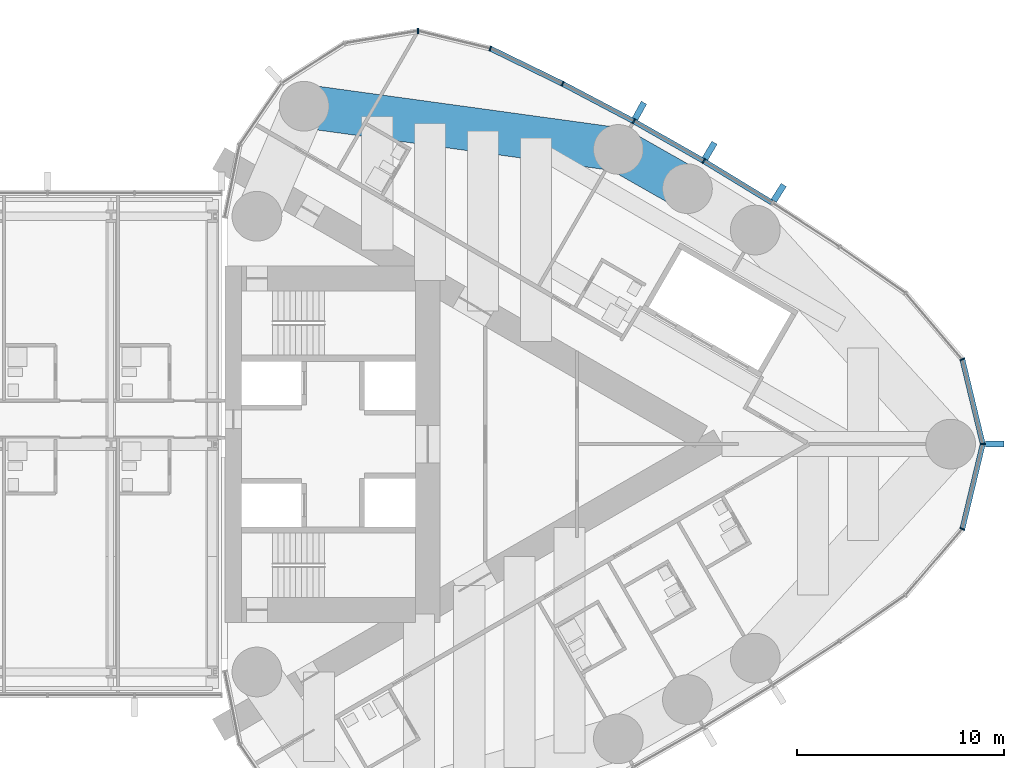
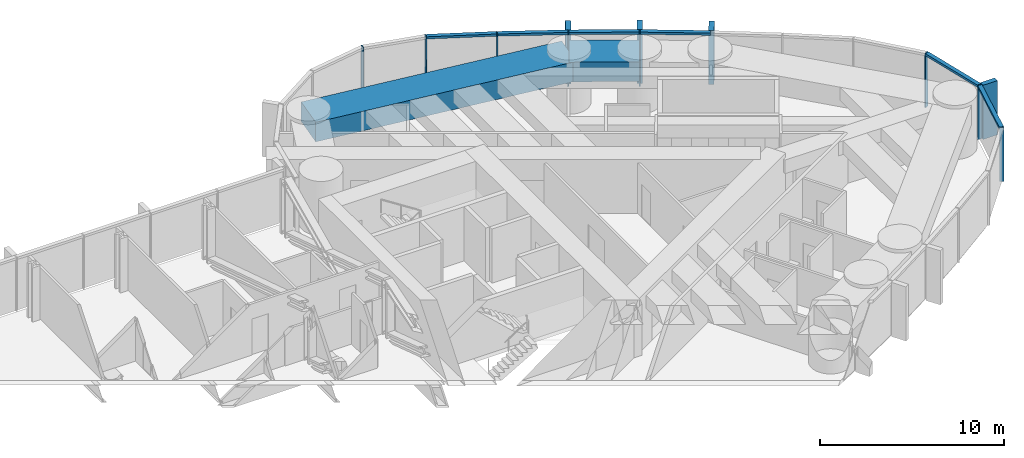
# One storey, part 11 of 23: 18 members, 2 beams, 1 element without a shape of its own.
"""IFC4 building model written with IfcOpenShell, lengths in metres."""

from ifc_helpers import new_model, si_unit, direction, frame, origin, origin_2d, place, context, subcontext, project, spatial, rectangle, extrude, material, material_profile, profile_set, type_object, element, aggregate, save


model = new_model("IFC4")

# Units and contexts
model_context = context("Model", 3, precision=1e-05, world=origin(), true_north=direction((0.0, 1.0)))
body_context = subcontext(model_context, "Body", "Model", "MODEL_VIEW")
ifc_project = project(units=[si_unit("LENGTHUNIT", "METRE"), si_unit("AREAUNIT", "SQUARE_METRE"), si_unit("VOLUMEUNIT", "CUBIC_METRE"), si_unit("PLANEANGLEUNIT", "RADIAN"), si_unit("MASSUNIT", "GRAM", prefix="KILO")], contexts=[model_context])

# Site, building, storey
site_placement = place(None, origin())
site = spatial("IfcSite", under=ifc_project, at=site_placement, CompositionType="ELEMENT")
building_placement = place(site_placement, origin())
building = spatial("IfcBuilding", under=site, at=building_placement, Name="Lancet Gate Hotel", CompositionType="ELEMENT")
storey_placement = place(building_placement, frame((0.0, 0.0, 218.89990234375)))
storey = spatial("IfcBuildingStorey", under=building, at=storey_placement, Name="L58", CompositionType="ELEMENT", Elevation=218.89990234375)

# Curtain wall, members
ifc_material_1 = material(Name="Aluminium curtain wall", Category="aluminium")
curtain_wall_type = type_object("IfcCurtainWallType", Name="Tower unitised curtain wall", PredefinedType="USERDEFINED", material=ifc_material_1)
curtain_wall_placement = place(storey_placement, origin())
curtain_wall = element("IfcCurtainWall", 1, at=curtain_wall_placement, inside=storey, type_object=curtain_wall_type, Name="T2 L58 curtain wall 1", ObjectType="UNITISED CURTAIN WALL", PredefinedType="USERDEFINED")
ifc_material_2 = material(Name="Aluminium mullion", Category="aluminium")
ifc_material_profile_1 = material_profile(ifc_material_2, rectangle(XDim=0.06494140625, YDim=0.25, at=origin_2d()), Name="MULLION 65x250")
ifc_profile_set_1 = profile_set([ifc_material_profile_1], Name="Aluminium mullion")
member_type_1 = type_object("IfcMemberType", Name="Aluminium mullion 65x250", PredefinedType="MULLION", material=ifc_profile_set_1)
member_1_placement = place(storey_placement, frame((63.1064453125, -4.09375, 0.0), z_axis=(0.0, 0.0, 1.0), x_axis=(0.454852851296, 0.890566608215, 0.0)))
member_1 = element("IfcMember", 2, at=member_1_placement, type_object=member_type_1, Name="T2 L58 curtain wall 1 mullion 13", PredefinedType="MULLION", context=body_context, shape_type="SweptSolid", body=[
    extrude(rectangle(XDim=0.06494140625, YDim=0.25, at=origin_2d()), origin(), (0.0, 0.0, 1.0), 3.60009765625),
])
member_2_placement = place(storey_placement, frame((64.09130859375, 0.0, 0.0), z_axis=(0.0, 0.0, 1.0), x_axis=(0.0, 1.0, 0.0)))
member_2 = element("IfcMember", 3, at=member_2_placement, type_object=member_type_1, Name="T2 L58 curtain wall 1 mullion 14", PredefinedType="MULLION", context=body_context, shape_type="SweptSolid", body=[
    extrude(rectangle(XDim=0.06494140625, YDim=0.25, at=origin_2d()), origin(), (0.0, 0.0, 1.0), 3.60009765625),
])
member_3_placement = place(storey_placement, frame((63.1064453125, 4.09375, 0.0), z_axis=(0.0, 0.0, 1.0), x_axis=(-0.454852851296, 0.890566608215, 0.0)))
member_3 = element("IfcMember", 4, at=member_3_placement, type_object=member_type_1, Name="T2 L58 curtain wall 1 mullion 15", PredefinedType="MULLION", context=body_context, shape_type="SweptSolid", body=[
    extrude(rectangle(XDim=0.06494140625, YDim=0.25, at=origin_2d()), origin(), (0.0, 0.0, 1.0), 3.60009765625),
])
member_4_placement = place(storey_placement, frame((50.62060546875, 13.667236328125, 0.0), z_axis=(0.0, 0.0, 1.0), x_axis=(-0.861691755738, 0.507432082247, 0.0)))
member_4 = element("IfcMember", 5, at=member_4_placement, type_object=member_type_1, Name="T2 L58 curtain wall 1 mullion 19", PredefinedType="MULLION", context=body_context, shape_type="SweptSolid", body=[
    extrude(rectangle(XDim=0.06494140625, YDim=0.25, at=origin_2d()), origin(), (0.0, 0.0, 1.0), 3.60009765625),
])
member_5_placement = place(storey_placement, frame((47.24365234375, 15.585205078125, 0.0), z_axis=(0.0, 0.0, 1.0), x_axis=(-0.877194589488, 0.480135035352, 0.0)))
member_5 = element("IfcMember", 6, at=member_5_placement, type_object=member_type_1, Name="T2 L58 curtain wall 1 mullion 20", PredefinedType="MULLION", context=body_context, shape_type="SweptSolid", body=[
    extrude(rectangle(XDim=0.06494140625, YDim=0.25, at=origin_2d()), origin(), (0.0, 0.0, 1.0), 3.60009765625),
])
member_6_placement = place(storey_placement, frame((43.80810546875, 17.396240234375, 0.0), z_axis=(0.0, 0.0, 1.0), x_axis=(-0.891832977257, 0.452364831389, 0.0)))
member_6 = element("IfcMember", 7, at=member_6_placement, type_object=member_type_1, Name="T2 L58 curtain wall 1 mullion 21", PredefinedType="MULLION", context=body_context, shape_type="SweptSolid", body=[
    extrude(rectangle(XDim=0.06494140625, YDim=0.25, at=origin_2d()), origin(), (0.0, 0.0, 1.0), 3.60009765625),
])
member_7_placement = place(storey_placement, frame((40.3173828125, 19.098388671875, 0.0), z_axis=(0.0, 0.0, 1.0), x_axis=(-0.939483740419, 0.342593493061, 0.0)))
member_7 = element("IfcMember", 8, at=member_7_placement, type_object=member_type_1, Name="T2 L58 curtain wall 1 mullion 22", PredefinedType="MULLION", context=body_context, shape_type="SweptSolid", body=[
    extrude(rectangle(XDim=0.06494140625, YDim=0.25, at=origin_2d()), origin(), (0.0, 0.0, 1.0), 3.60009765625),
])
member_8_placement = place(storey_placement, frame((36.826171875, 19.942138671875, 0.0), z_axis=(0.0, 0.0, 1.0), x_axis=(-0.999342744911, 0.03625021647, 0.0)))
member_8 = element("IfcMember", 9, at=member_8_placement, type_object=member_type_1, Name="T2 L58 curtain wall 1 mullion 23", PredefinedType="MULLION", context=body_context, shape_type="SweptSolid", body=[
    extrude(rectangle(XDim=0.06494140625, YDim=0.25, at=origin_2d()), origin(), (0.0, 0.0, 1.0), 3.60009765625),
])
ifc_material_3 = material(Name="Aluminium transom", Category="aluminium")
ifc_material_profile_2 = material_profile(ifc_material_3, rectangle(XDim=0.25, YDim=0.14990234375, at=origin_2d()), Name="TRANSOM 250x150")
ifc_profile_set_2 = profile_set([ifc_material_profile_2], Name="Aluminium transom")
member_type_2 = type_object("IfcMemberType", Name="Aluminium transom 250x150", PredefinedType="USERDEFINED", material=ifc_profile_set_2)
member_9_placement = place(storey_placement, frame((63.114013671875, -4.06201171875, 3.525146484375), z_axis=(0.233920855872, 0.972255641891, 0.0), x_axis=(-0.972255641891, 0.233920855872, 0.0)))
member_9 = element("IfcMember", 10, at=member_9_placement, type_object=member_type_2, Name="T2 L58 curtain wall 1 transom 13", ObjectType="TRANSOM", PredefinedType="USERDEFINED", context=body_context, shape_type="SweptSolid", body=[
    extrude(rectangle(XDim=0.25, YDim=0.14990234375, at=origin_2d()), origin(), (0.0, 0.0, 1.0), 4.1455078125),
])
member_10_placement = place(storey_placement, frame((64.083740234375, 0.031494140625, 3.525146484375), z_axis=(-0.233920855872, 0.972255641891, 0.0), x_axis=(-0.972255641891, -0.233920855872, 0.0)))
member_10 = element("IfcMember", 11, at=member_10_placement, type_object=member_type_2, Name="T2 L58 curtain wall 1 transom 14", ObjectType="TRANSOM", PredefinedType="USERDEFINED", context=body_context, shape_type="SweptSolid", body=[
    extrude(rectangle(XDim=0.25, YDim=0.14990234375, at=origin_2d()), origin(), (0.0, 0.0, 1.0), 4.1455078125),
])
member_11_placement = place(storey_placement, frame((53.907958984375, 11.661376953125, 3.525146484375), z_axis=(-0.853638798527, 0.520865435261, 0.0), x_axis=(-0.520865435261, -0.853638798527, 0.0)))
member_11 = element("IfcMember", 12, at=member_11_placement, type_object=member_type_2, Name="T2 L58 curtain wall 1 transom 18", ObjectType="TRANSOM", PredefinedType="USERDEFINED", context=body_context, shape_type="SweptSolid", body=[
    extrude(rectangle(XDim=0.25, YDim=0.14990234375, at=origin_2d()), origin(), (0.0, 0.0, 1.0), 3.818603515625),
])
member_12_placement = place(storey_placement, frame((50.59228515625, 13.683349609375, 3.525146484375), z_axis=(-0.869562011924, 0.493823761496, 0.0), x_axis=(-0.493823761496, -0.869562011924, 0.0)))
member_12 = element("IfcMember", 13, at=member_12_placement, type_object=member_type_2, Name="T2 L58 curtain wall 1 transom 19", ObjectType="TRANSOM", PredefinedType="USERDEFINED", context=body_context, shape_type="SweptSolid", body=[
    extrude(rectangle(XDim=0.25, YDim=0.14990234375, at=origin_2d()), origin(), (0.0, 0.0, 1.0), 3.818603515625),
])
member_13_placement = place(storey_placement, frame((47.21484375, 15.600341796875, 3.525146484375), z_axis=(-0.884618491031, 0.466315478325, 0.0), x_axis=(-0.466315478325, -0.884618491031, 0.0)))
member_13 = element("IfcMember", 14, at=member_13_placement, type_object=member_type_2, Name="T2 L58 curtain wall 1 transom 20", ObjectType="TRANSOM", PredefinedType="USERDEFINED", context=body_context, shape_type="SweptSolid", body=[
    extrude(rectangle(XDim=0.25, YDim=0.14990234375, at=origin_2d()), origin(), (0.0, 0.0, 1.0), 3.81884765625),
])
member_14_placement = place(storey_placement, frame((43.77880859375, 17.410400390625, 3.525146484375), z_axis=(-0.898820051991, 0.438317823206, 0.0), x_axis=(-0.438317823206, -0.898820051991, 0.0)))
member_14 = element("IfcMember", 15, at=member_14_placement, type_object=member_type_2, Name="T2 L58 curtain wall 1 transom 21", ObjectType="TRANSOM", PredefinedType="USERDEFINED", context=body_context, shape_type="SweptSolid", body=[
    extrude(rectangle(XDim=0.25, YDim=0.14990234375, at=origin_2d()), origin(), (0.0, 0.0, 1.0), 3.81884765625),
])

# Beams
ifc_material_4 = material(Name="Concrete C50/60", Category="concrete")
ifc_material_profile_3 = material_profile(ifc_material_4, rectangle(XDim=2.10009765625, YDim=1.300048828125, at=origin_2d()), Name="RC 2100x1300")
ifc_profile_set_3 = profile_set([ifc_material_profile_3], Name="Concrete C50/60")
beam_type = type_object("IfcBeamType", Name="Edge beam RC 2100x1300", PredefinedType="SPANDREL", material=ifc_profile_set_3)
beam_1_placement = place(storey_placement, frame((49.833984375, 12.331787109375, 2.7001953125), z_axis=(-0.869560321562, 0.493826738001, 0.0), x_axis=(-0.493826738001, -0.869560321562, 0.0)))
element("IfcBeam", 16, at=beam_1_placement, inside=storey, type_object=beam_type, Name="T2 edge beam EB1 L58", PredefinedType="SPANDREL", context=body_context, shape_type="SweptSolid", body=[
    extrude(rectangle(XDim=2.10009765625, YDim=1.300048828125, at=origin_2d()), origin(), (0.0, 0.0, 1.0), 3.8349609375),
])
beam_2_placement = place(storey_placement, frame((46.499267578125, 14.2255859375, 2.7001953125), z_axis=(-0.990685830783, 0.13616748762, 0.0), x_axis=(-0.13616748762, -0.990685830783, 0.0)))
element("IfcBeam", 17, at=beam_2_placement, inside=storey, type_object=beam_type, Name="T2 edge beam EB1 L58", PredefinedType="SPANDREL", context=body_context, shape_type="SweptSolid", body=[
    extrude(rectangle(XDim=2.10009765625, YDim=1.300048828125, at=origin_2d()), origin(), (0.0, 0.0, 1.0), 15.3134765625),
])

# Member
ifc_material_5 = material(Name="Precast concrete C50/60", Category="concrete")
ifc_material_profile_4 = material_profile(ifc_material_5, rectangle(XDim=0.300048828125, YDim=0.89990234375, at=origin_2d()), Name="FIN 300x900")
ifc_profile_set_4 = profile_set([ifc_material_profile_4], Name="Precast concrete C50/60")
member_type_3 = type_object("IfcMemberType", Name="Exposed concrete fin 300x900", PredefinedType="USERDEFINED", material=ifc_profile_set_4)
member_15_placement = place(storey_placement, frame((64.66650390625, 0.0, 0.0), z_axis=(0.0, 0.0, 1.0), x_axis=(0.0, 1.0, 0.0)))
member_15 = element("IfcMember", 18, at=member_15_placement, type_object=member_type_3, Name="T2 L58 curtain wall 1 fin 14", ObjectType="FIN", PredefinedType="USERDEFINED", context=body_context, shape_type="SweptSolid", body=[
    extrude(rectangle(XDim=0.300048828125, YDim=0.89990234375, at=origin_2d()), origin(), (0.0, 0.0, 1.0), 3.60009765625),
])

member_16_placement = place(storey_placement, frame((54.242919921875, 12.13037109375, 0.0), z_axis=(0.0, 0.0, 1.0), x_axis=(-0.845339753513, 0.534229071777, 0.0)))
member_16 = element("IfcMember", 19, at=member_16_placement, type_object=member_type_3, Name="T2 L58 curtain wall 1 fin 18", ObjectType="FIN", PredefinedType="USERDEFINED", context=body_context, shape_type="SweptSolid", body=[
    extrude(rectangle(XDim=0.300048828125, YDim=0.89990234375, at=origin_2d()), origin(), (0.0, 0.0, 1.0), 3.60009765625),
])

member_17_placement = place(storey_placement, frame((50.912353515625, 14.162841796875, 0.0), z_axis=(0.0, 0.0, 1.0), x_axis=(-0.861691755738, 0.507432082247, 0.0)))
member_17 = element("IfcMember", 20, at=member_17_placement, type_object=member_type_3, Name="T2 L58 curtain wall 1 fin 19", ObjectType="FIN", PredefinedType="USERDEFINED", context=body_context, shape_type="SweptSolid", body=[
    extrude(rectangle(XDim=0.300048828125, YDim=0.89990234375, at=origin_2d()), origin(), (0.0, 0.0, 1.0), 3.60009765625),
])

member_18_placement = place(storey_placement, frame((47.51953125, 16.089599609375, 0.0), z_axis=(0.0, 0.0, 1.0), x_axis=(-0.877194589488, 0.480135035352, 0.0)))
member_18 = element("IfcMember", 21, at=member_18_placement, type_object=member_type_3, Name="T2 L58 curtain wall 1 fin 20", ObjectType="FIN", PredefinedType="USERDEFINED", context=body_context, shape_type="SweptSolid", body=[
    extrude(rectangle(XDim=0.300048828125, YDim=0.89990234375, at=origin_2d()), origin(), (0.0, 0.0, 1.0), 3.60009765625),
])

aggregate(curtain_wall, [member_1, member_2, member_15, member_3, member_16, member_4, member_17, member_5, member_18, member_6, member_7, member_8, member_9, member_10, member_11, member_12, member_13, member_14])

save(model, "model.ifc")
